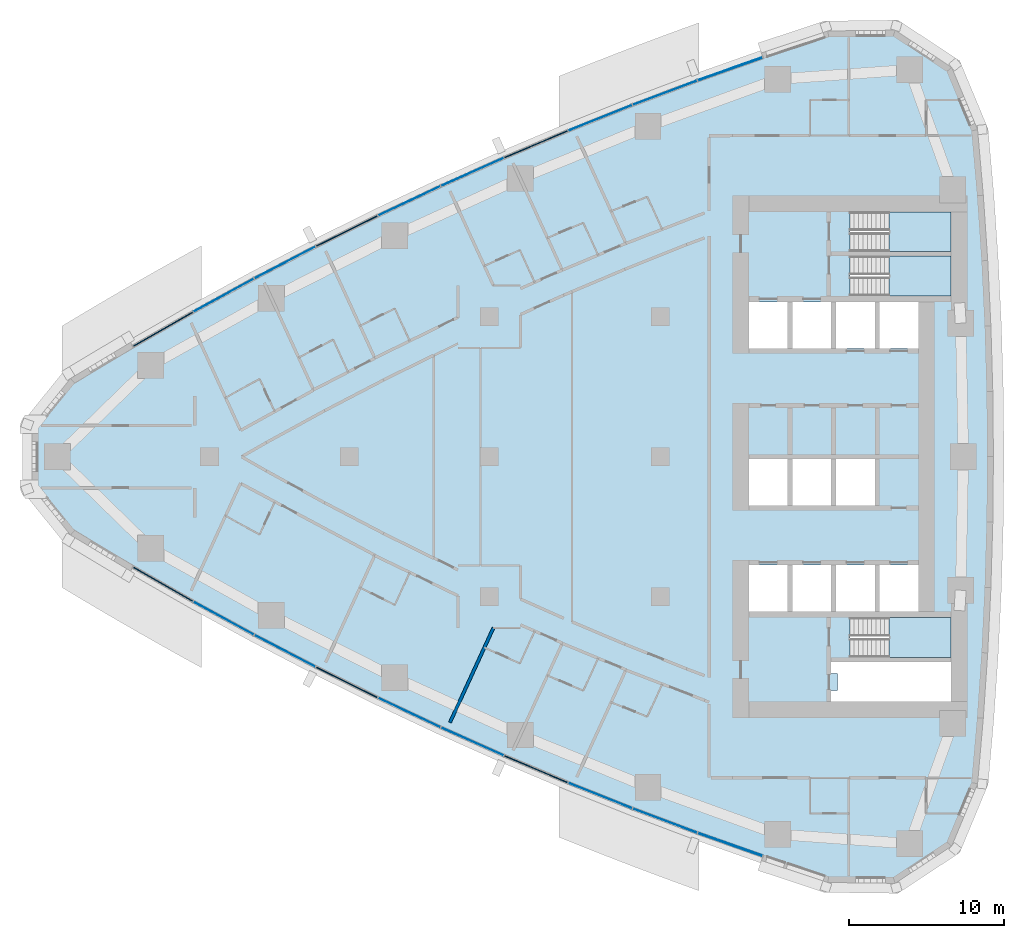
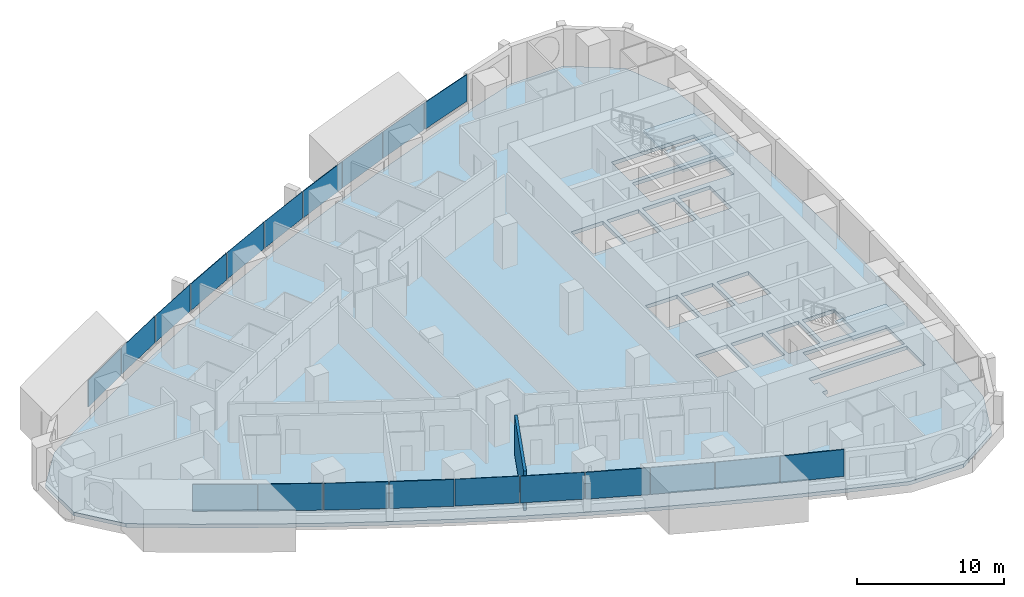
# One storey, part 7 of 17: 20 plates, 4 slabs, 1 wall, 1 opening, 13 elements without a shape of their own.
"""IFC4 building model written with IfcOpenShell, lengths in metres."""

from ifc_helpers import new_model, si_unit, direction, frame, frame_2d, origin, origin_2d, place, context, subcontext, project, spatial, polyline, rectangle, outline, extrude, material, layer, layer_set, type_object, element, aggregate, save


model = new_model("IFC4")

# Units and contexts
model_context = context("Model", 3, precision=1e-05, world=origin(), true_north=direction((0.0, 1.0)))
body_context = subcontext(model_context, "Body", "Model", "MODEL_VIEW")
ifc_project = project(units=[si_unit("LENGTHUNIT", "METRE"), si_unit("AREAUNIT", "SQUARE_METRE"), si_unit("VOLUMEUNIT", "CUBIC_METRE"), si_unit("PLANEANGLEUNIT", "RADIAN"), si_unit("MASSUNIT", "GRAM", prefix="KILO")], contexts=[model_context])

# Site, building, storey
site_placement = place(None, origin())
site = spatial("IfcSite", under=ifc_project, at=site_placement, CompositionType="ELEMENT")
building_placement = place(site_placement, origin())
building = spatial("IfcBuilding", under=site, at=building_placement, Name="Ostrand Prow Hotel Tower", CompositionType="ELEMENT")
storey_placement = place(building_placement, frame((0.0, 0.0, 84.89990234375)))
storey = spatial("IfcBuildingStorey", under=building, at=storey_placement, Name="L19", CompositionType="ELEMENT", Elevation=84.89990234375)

# Curtain wall, plate
ifc_material_1 = material(Name="Insulated glass in bronze anodised frame", Category="glass")
ifc_layer_1 = layer(ifc_material_1, 0.199951171875)
ifc_layer_set_1 = layer_set([ifc_layer_1], Name="Insulated glass in bronze anodised frame")
curtain_wall_type = type_object("IfcCurtainWallType", Name="Strip curtain wall, fritted glass over bronze spandrel", PredefinedType="NOTDEFINED", material=ifc_layer_set_1)
curtain_wall_1_placement = place(storey_placement, origin())
curtain_wall_1 = element("IfcCurtainWall", 1, at=curtain_wall_1_placement, inside=storey, type_object=curtain_wall_type, Name="CW1 run CWS1", PredefinedType="NOTDEFINED")
ifc_material_2 = material(Name="Ceramic-fritted glass", Category="glass")
ifc_layer_2 = layer(ifc_material_2, 0.031982421875)
ifc_layer_set_2 = layer_set([ifc_layer_2], Name="Ceramic-fritted glass")
plate_type_1 = type_object("IfcPlateType", Name="Dot-fritted ceramic glass unit 32 mm", PredefinedType="CURTAIN_PANEL", material=ifc_layer_set_2)
plate_1_placement = place(storey_placement, frame((16.910888671875, -10.39111328125, 1.02001953125), z_axis=(0.0, 0.0, 1.0), x_axis=(0.877466978439, -0.479637052103, 0.0)))
plate_1 = element("IfcPlate", 2, at=plate_1_placement, type_object=plate_type_1, Name="CW1 PN-D panel 2.2", PredefinedType="CURTAIN_PANEL", context=body_context, shape_type="SweptSolid", body=[
    extrude(rectangle(XDim=4.406005859375, YDim=0.031982421875, at=origin_2d()), origin(), (0.0, 0.0, 1.0), 2.22998046875),
])

curtain_wall_2_placement = place(storey_placement, origin())
curtain_wall_2 = element("IfcCurtainWall", 3, at=curtain_wall_2_placement, inside=storey, type_object=curtain_wall_type, Name="CW1 run CWS2", PredefinedType="NOTDEFINED")
plate_2_placement = place(storey_placement, frame((20.8505859375, -12.49365234375, 1.02001953125), z_axis=(0.0, 0.0, 1.0), x_axis=(0.886896367661, -0.461968432937, 0.0)))
plate_2 = element("IfcPlate", 4, at=plate_2_placement, type_object=plate_type_1, Name="CW1 PN-D panel 1.2", PredefinedType="CURTAIN_PANEL", context=body_context, shape_type="SweptSolid", body=[
    extrude(rectangle(XDim=4.406005859375, YDim=0.031982421875, at=origin_2d()), origin(), (0.0, 0.0, 1.0), 2.22998046875),
])

# Curtain wall, plates
curtain_wall_3_placement = place(storey_placement, origin())
curtain_wall_3 = element("IfcCurtainWall", 5, at=curtain_wall_3_placement, inside=storey, type_object=curtain_wall_type, Name="CW1 run CWS3", PredefinedType="NOTDEFINED")
plate_3_placement = place(storey_placement, frame((28.852783203125, -16.4599609375, 1.02001953125), z_axis=(0.0, 0.0, 1.0), x_axis=(0.904685808958, -0.426079320162, 0.0)))
plate_3 = element("IfcPlate", 6, at=plate_3_placement, type_object=plate_type_1, Name="CW1 PN-D panel 1.2", PredefinedType="CURTAIN_PANEL", context=body_context, shape_type="SweptSolid", body=[
    extrude(rectangle(XDim=4.406005859375, YDim=0.031982421875, at=origin_2d()), origin(), (0.0, 0.0, 1.0), 2.22998046875),
])
plate_4_placement = place(storey_placement, frame((32.911865234375, -18.322265625, 1.02001953125), z_axis=(0.0, 0.0, 1.0), x_axis=(0.913037887435, -0.407874755419, 0.0)))
plate_4 = element("IfcPlate", 7, at=plate_4_placement, type_object=plate_type_1, Name="CW1 PN-D panel 2.2", PredefinedType="CURTAIN_PANEL", context=body_context, shape_type="SweptSolid", body=[
    extrude(rectangle(XDim=4.406005859375, YDim=0.031982421875, at=origin_2d()), origin(), (0.0, 0.0, 1.0), 2.22998046875),
])
aggregate(curtain_wall_3, [plate_3, plate_4])

# Curtain wall, plate
curtain_wall_4_placement = place(storey_placement, origin())
curtain_wall_4 = element("IfcCurtainWall", 8, at=curtain_wall_4_placement, inside=storey, type_object=curtain_wall_type, Name="CW1 run CWS4", PredefinedType="NOTDEFINED")
plate_5_placement = place(storey_placement, frame((41.137451171875, -21.801025390625, 1.02001953125), z_axis=(0.0, 0.0, 1.0), x_axis=(0.928640008649, -0.370982121315, 0.0)))
plate_5 = element("IfcPlate", 9, at=plate_5_placement, type_object=plate_type_1, Name="CW1 PN-D panel 2.2", PredefinedType="CURTAIN_PANEL", context=body_context, shape_type="SweptSolid", body=[
    extrude(rectangle(XDim=4.406005859375, YDim=0.031982421875, at=origin_2d()), origin(), (0.0, 0.0, 1.0), 2.22998046875),
])

curtain_wall_5_placement = place(storey_placement, origin())
curtain_wall_5 = element("IfcCurtainWall", 10, at=curtain_wall_5_placement, inside=storey, type_object=curtain_wall_type, Name="CW1 run CWS5", PredefinedType="NOTDEFINED")
plate_6_placement = place(storey_placement, frame((45.301025390625, -23.416015625, 1.02001953125), z_axis=(0.0, 0.0, 1.0), x_axis=(0.935883792387, -0.35230885193, 0.0)))
plate_6 = element("IfcPlate", 11, at=plate_6_placement, type_object=plate_type_1, Name="CW1 PN-D panel 1.2", PredefinedType="CURTAIN_PANEL", context=body_context, shape_type="SweptSolid", body=[
    extrude(rectangle(XDim=4.406005859375, YDim=0.031982421875, at=origin_2d()), origin(), (0.0, 0.0, 1.0), 2.22998046875),
])

curtain_wall_6_placement = place(storey_placement, origin())
curtain_wall_6 = element("IfcCurtainWall", 12, at=curtain_wall_6_placement, inside=storey, type_object=curtain_wall_type, Name="CW1 run CWN1", PredefinedType="NOTDEFINED")
plate_7_placement = place(storey_placement, frame((45.301025390625, 23.416015625, 1.02001953125), z_axis=(0.0, 0.0, 1.0), x_axis=(-0.935883792387, -0.35230885193, 0.0)))
plate_7 = element("IfcPlate", 13, at=plate_7_placement, type_object=plate_type_1, Name="CW1 PN-D panel 2.2", PredefinedType="CURTAIN_PANEL", context=body_context, shape_type="SweptSolid", body=[
    extrude(rectangle(XDim=4.406005859375, YDim=0.031982421875, at=origin_2d()), origin(), (0.0, 0.0, 1.0), 2.22998046875),
])

curtain_wall_7_placement = place(storey_placement, origin())
curtain_wall_7 = element("IfcCurtainWall", 14, at=curtain_wall_7_placement, inside=storey, type_object=curtain_wall_type, Name="CW1 run CWN2", PredefinedType="NOTDEFINED")
plate_8_placement = place(storey_placement, frame((41.137451171875, 21.801025390625, 1.02001953125), z_axis=(0.0, 0.0, 1.0), x_axis=(-0.928640008649, -0.370982121315, 0.0)))
plate_8 = element("IfcPlate", 15, at=plate_8_placement, type_object=plate_type_1, Name="CW1 PN-D panel 1.2", PredefinedType="CURTAIN_PANEL", context=body_context, shape_type="SweptSolid", body=[
    extrude(rectangle(XDim=4.406005859375, YDim=0.031982421875, at=origin_2d()), origin(), (0.0, 0.0, 1.0), 2.22998046875),
])

# Curtain wall, plates
curtain_wall_8_placement = place(storey_placement, origin())
curtain_wall_8 = element("IfcCurtainWall", 16, at=curtain_wall_8_placement, inside=storey, type_object=curtain_wall_type, Name="CW1 run CWN3", PredefinedType="NOTDEFINED")
plate_9_placement = place(storey_placement, frame((32.911865234375, 18.322265625, 1.02001953125), z_axis=(0.0, 0.0, 1.0), x_axis=(-0.913037887435, -0.407874755419, 0.0)))
plate_9 = element("IfcPlate", 17, at=plate_9_placement, type_object=plate_type_1, Name="CW1 PN-D panel 1.2", PredefinedType="CURTAIN_PANEL", context=body_context, shape_type="SweptSolid", body=[
    extrude(rectangle(XDim=4.406005859375, YDim=0.031982421875, at=origin_2d()), origin(), (0.0, 0.0, 1.0), 2.22998046875),
])
plate_10_placement = place(storey_placement, frame((28.852783203125, 16.4599609375, 1.02001953125), z_axis=(0.0, 0.0, 1.0), x_axis=(-0.904685808958, -0.426079320162, 0.0)))
plate_10 = element("IfcPlate", 18, at=plate_10_placement, type_object=plate_type_1, Name="CW1 PN-D panel 2.2", PredefinedType="CURTAIN_PANEL", context=body_context, shape_type="SweptSolid", body=[
    extrude(rectangle(XDim=4.406005859375, YDim=0.031982421875, at=origin_2d()), origin(), (0.0, 0.0, 1.0), 2.22998046875),
])
aggregate(curtain_wall_8, [plate_9, plate_10])

# Curtain wall, plate
curtain_wall_9_placement = place(storey_placement, origin())
curtain_wall_9 = element("IfcCurtainWall", 19, at=curtain_wall_9_placement, inside=storey, type_object=curtain_wall_type, Name="CW1 run CWN4", PredefinedType="NOTDEFINED")
plate_11_placement = place(storey_placement, frame((20.8505859375, 12.49365234375, 1.02001953125), z_axis=(0.0, 0.0, 1.0), x_axis=(-0.886896367661, -0.461968432937, 0.0)))
plate_11 = element("IfcPlate", 20, at=plate_11_placement, type_object=plate_type_1, Name="CW1 PN-D panel 2.2", PredefinedType="CURTAIN_PANEL", context=body_context, shape_type="SweptSolid", body=[
    extrude(rectangle(XDim=4.406005859375, YDim=0.031982421875, at=origin_2d()), origin(), (0.0, 0.0, 1.0), 2.22998046875),
])

curtain_wall_10_placement = place(storey_placement, origin())
curtain_wall_10 = element("IfcCurtainWall", 21, at=curtain_wall_10_placement, inside=storey, type_object=curtain_wall_type, Name="CW1 run CWN5", PredefinedType="NOTDEFINED")
plate_12_placement = place(storey_placement, frame((16.910888671875, 10.39111328125, 1.02001953125), z_axis=(0.0, 0.0, 1.0), x_axis=(-0.877466978439, -0.479637052103, 0.0)))
plate_12 = element("IfcPlate", 22, at=plate_12_placement, type_object=plate_type_1, Name="CW1 PN-D panel 1.2", PredefinedType="CURTAIN_PANEL", context=body_context, shape_type="SweptSolid", body=[
    extrude(rectangle(XDim=4.406005859375, YDim=0.031982421875, at=origin_2d()), origin(), (0.0, 0.0, 1.0), 2.22998046875),
])

# Plate
ifc_material_3 = material(Name="Fritted glass in bronze vent frame", Category="glass")
ifc_layer_3 = layer(ifc_material_3, 0.06005859375)
ifc_layer_set_3 = layer_set([ifc_layer_3], Name="Fritted glass in bronze vent frame")
plate_type_2 = type_object("IfcPlateType", Name="Operable vent panel 60 mm", PredefinedType="CURTAIN_PANEL", material=ifc_layer_set_3)
plate_13_placement = place(storey_placement, frame((13.013916015625, -8.2099609375, 1.02001953125), z_axis=(0.0, 0.0, 1.0), x_axis=(0.867684775301, -0.497114806368, 0.0)))
plate_13 = element("IfcPlate", 23, at=plate_13_placement, type_object=plate_type_2, Name="CW1 PN-O panel 1.2", PredefinedType="CURTAIN_PANEL", context=body_context, shape_type="SweptSolid", body=[
    extrude(rectangle(XDim=4.406005859375, YDim=0.06005859375, at=origin_2d()), origin(), (0.0, 0.0, 1.0), 2.22998046875),
])

aggregate(curtain_wall_1, [plate_13, plate_1])

plate_14_placement = place(storey_placement, frame((24.831787109375, -14.516845703125, 1.02001953125), z_axis=(0.0, 0.0, 1.0), x_axis=(0.895970803653, -0.44411295748, 0.0)))
plate_14 = element("IfcPlate", 24, at=plate_14_placement, type_object=plate_type_2, Name="CW1 PN-O panel 2.2", PredefinedType="CURTAIN_PANEL", context=body_context, shape_type="SweptSolid", body=[
    extrude(rectangle(XDim=4.406005859375, YDim=0.06005859375, at=origin_2d()), origin(), (0.0, 0.0, 1.0), 2.22998046875),
])

aggregate(curtain_wall_2, [plate_2, plate_14])

plate_15_placement = place(storey_placement, frame((37.007080078125, -20.102783203125, 1.02001953125), z_axis=(0.0, 0.0, 1.0), x_axis=(0.921023688536, -0.389506566255, 0.0)))
plate_15 = element("IfcPlate", 25, at=plate_15_placement, type_object=plate_type_2, Name="CW1 PN-O panel 1.2", PredefinedType="CURTAIN_PANEL", context=body_context, shape_type="SweptSolid", body=[
    extrude(rectangle(XDim=4.406005859375, YDim=0.06005859375, at=origin_2d()), origin(), (0.0, 0.0, 1.0), 2.22998046875),
])

aggregate(curtain_wall_4, [plate_15, plate_5])

plate_16_placement = place(storey_placement, frame((49.49609375, -24.947509765625, 1.02001953125), z_axis=(0.0, 0.0, 1.0), x_axis=(0.942751551748, -0.333495894542, 0.0)))
plate_16 = element("IfcPlate", 26, at=plate_16_placement, type_object=plate_type_2, Name="CW1 PN-O panel 2.2", PredefinedType="CURTAIN_PANEL", context=body_context, shape_type="SweptSolid", body=[
    extrude(rectangle(XDim=4.406005859375, YDim=0.06005859375, at=origin_2d()), origin(), (0.0, 0.0, 1.0), 2.22998046875),
])

aggregate(curtain_wall_5, [plate_6, plate_16])

plate_17_placement = place(storey_placement, frame((49.49609375, 24.947509765625, 1.02001953125), z_axis=(0.0, 0.0, 1.0), x_axis=(-0.942751551748, -0.333495894542, 0.0)))
plate_17 = element("IfcPlate", 27, at=plate_17_placement, type_object=plate_type_2, Name="CW1 PN-O panel 1.2", PredefinedType="CURTAIN_PANEL", context=body_context, shape_type="SweptSolid", body=[
    extrude(rectangle(XDim=4.406005859375, YDim=0.06005859375, at=origin_2d()), origin(), (0.0, 0.0, 1.0), 2.22998046875),
])

aggregate(curtain_wall_6, [plate_17, plate_7])

plate_18_placement = place(storey_placement, frame((37.007080078125, 20.102783203125, 1.02001953125), z_axis=(0.0, 0.0, 1.0), x_axis=(-0.921023688536, -0.389506566255, 0.0)))
plate_18 = element("IfcPlate", 28, at=plate_18_placement, type_object=plate_type_2, Name="CW1 PN-O panel 2.2", PredefinedType="CURTAIN_PANEL", context=body_context, shape_type="SweptSolid", body=[
    extrude(rectangle(XDim=4.406005859375, YDim=0.06005859375, at=origin_2d()), origin(), (0.0, 0.0, 1.0), 2.22998046875),
])

aggregate(curtain_wall_7, [plate_8, plate_18])

plate_19_placement = place(storey_placement, frame((24.831787109375, 14.516845703125, 1.02001953125), z_axis=(0.0, 0.0, 1.0), x_axis=(-0.895970803653, -0.44411295748, 0.0)))
plate_19 = element("IfcPlate", 29, at=plate_19_placement, type_object=plate_type_2, Name="CW1 PN-O panel 1.2", PredefinedType="CURTAIN_PANEL", context=body_context, shape_type="SweptSolid", body=[
    extrude(rectangle(XDim=4.406005859375, YDim=0.06005859375, at=origin_2d()), origin(), (0.0, 0.0, 1.0), 2.22998046875),
])

aggregate(curtain_wall_9, [plate_19, plate_11])

plate_20_placement = place(storey_placement, frame((13.013916015625, 8.2099609375, 1.02001953125), z_axis=(0.0, 0.0, 1.0), x_axis=(-0.867684775301, -0.497114806368, 0.0)))
plate_20 = element("IfcPlate", 30, at=plate_20_placement, type_object=plate_type_2, Name="CW1 PN-O panel 2.2", PredefinedType="CURTAIN_PANEL", context=body_context, shape_type="SweptSolid", body=[
    extrude(rectangle(XDim=4.406005859375, YDim=0.06005859375, at=origin_2d()), origin(), (0.0, 0.0, 1.0), 2.22998046875),
])

aggregate(curtain_wall_10, [plate_12, plate_20])

# Slab, opening
ifc_material_4 = material(Name="Concrete C40/50", Category="concrete")
ifc_layer_4 = layer(ifc_material_4, 0.300048828125)
ifc_layer_set_4 = layer_set([ifc_layer_4], Name="Concrete C40/50")
slab_type_1 = type_object("IfcSlabType", Name="PT flat plate 300 C40/50", PredefinedType="FLOOR", material=ifc_layer_set_4)
slab_1_placement = place(storey_placement, frame((0.0, 0.0, -0.2998046875)))
slab_1 = element("IfcSlab", 31, at=slab_1_placement, inside=storey, type_object=slab_type_1, Name="Floor slab L19-1", PredefinedType="FLOOR", context=body_context, shape_type="SweptSolid", body=[
    extrude(outline(polyline([(7.150390625, 4.879638671875), (11.01806640625, 7.19970703125), (14.89501953125, 9.4208984375), (18.81591796875, 11.56396484375), (22.77880859375, 13.628173828125), (26.7822265625, 15.61279296875), (30.82470703125, 17.5166015625), (34.904541015625, 19.339111328125), (39.02001953125, 21.07958984375), (43.16943359375, 22.7373046875), (47.351318359375, 24.311279296875), (51.563720703125, 25.801513671875), (55.839599609375, 27.218505859375), (60.05615234375, 27.271728515625), (63.6103515625, 24.932861328125), (65.2294921875, 21.039306640625), (65.598876953125, 16.81201171875), (65.883544921875, 12.614501953125), (66.087158203125, 8.412353515625), (66.209228515625, 4.206787109375), (66.25, 0.0), (66.209228515625, -4.206787109375), (66.087158203125, -8.412353515625), (65.883544921875, -12.614501953125), (65.598876953125, -16.81201171875), (65.2294921875, -21.039306640625), (63.6103515625, -24.932861328125), (60.05615234375, -27.271728515625), (55.839599609375, -27.218505859375), (51.563720703125, -25.801513671875), (47.351318359375, -24.311279296875), (43.16943359375, -22.7373046875), (39.02001953125, -21.07958984375), (34.904541015625, -19.339111328125), (30.82470703125, -17.5166015625), (26.7822265625, -15.61279296875), (22.77880859375, -13.628173828125), (18.81591796875, -11.56396484375), (14.89501953125, -9.4208984375), (11.01806640625, -7.19970703125), (7.150390625, -4.879638671875), (4.75830078125, -1.923583984375), (4.75830078125, 1.923583984375), (7.150390625, 4.879638671875)]), holes=[polyline([(50.699951171875, 6.949951171875), (53.199951171875, 6.949951171875), (53.199951171875, 9.949951171875), (50.699951171875, 9.949951171875), (50.699951171875, 6.949951171875)]), polyline([(53.5, 6.949951171875), (56.0, 6.949951171875), (56.0, 9.949951171875), (53.5, 9.949951171875), (53.5, 6.949951171875)]), polyline([(56.300048828125, 6.949951171875), (58.800048828125, 6.949951171875), (58.800048828125, 9.949951171875), (56.300048828125, 9.949951171875), (56.300048828125, 6.949951171875)]), polyline([(59.10009765625, 6.949951171875), (61.60009765625, 6.949951171875), (61.60009765625, 9.949951171875), (59.10009765625, 9.949951171875), (59.10009765625, 6.949951171875)]), polyline([(50.699951171875, -3.14990234375), (53.199951171875, -3.14990234375), (53.199951171875, -0.14990234375), (50.699951171875, -0.14990234375), (50.699951171875, -3.14990234375)]), polyline([(53.5, -3.14990234375), (56.0, -3.14990234375), (56.0, -0.14990234375), (53.5, -0.14990234375), (53.5, -3.14990234375)]), polyline([(56.300048828125, -3.14990234375), (58.800048828125, -3.14990234375), (58.800048828125, -0.14990234375), (56.300048828125, -0.14990234375), (56.300048828125, -3.14990234375)]), polyline([(50.699951171875, -9.949951171875), (53.199951171875, -9.949951171875), (53.199951171875, -6.949951171875), (50.699951171875, -6.949951171875), (50.699951171875, -9.949951171875)]), polyline([(53.5, -9.949951171875), (56.0, -9.949951171875), (56.0, -6.949951171875), (53.5, -6.949951171875), (53.5, -9.949951171875)]), polyline([(56.300048828125, -9.949951171875), (58.800048828125, -9.949951171875), (58.800048828125, -6.949951171875), (56.300048828125, -6.949951171875), (56.300048828125, -9.949951171875)]), polyline([(59.10009765625, -9.949951171875), (61.60009765625, -9.949951171875), (61.60009765625, -6.949951171875), (59.10009765625, -6.949951171875), (59.10009765625, -9.949951171875)]), polyline([(57.200927734375, 10.35107421875), (57.200927734375, 12.89892578125), (63.718994140625, 12.89892578125), (63.718994140625, 10.35107421875), (57.200927734375, 10.35107421875)]), polyline([(57.200927734375, 13.200927734375), (57.200927734375, 15.7490234375), (63.718994140625, 15.7490234375), (63.718994140625, 13.200927734375), (57.200927734375, 13.200927734375)]), polyline([(57.200927734375, -12.89892578125), (57.200927734375, -10.35107421875), (63.718994140625, -10.35107421875), (63.718994140625, -12.89892578125), (57.200927734375, -12.89892578125)]), polyline([(56.0, -13.199951171875), (63.719970703125, -13.199951171875), (63.719970703125, -15.75), (56.0, -15.75), (56.0, -15.050048828125), (56.39990234375, -15.050048828125), (56.39990234375, -13.949951171875), (56.0, -13.949951171875), (56.0, -13.199951171875)])]), origin(), (0.0, 0.0, 1.0), 0.2998046875),
])
opening_placement = place(slab_1_placement, origin())
element("IfcOpeningElement", 32, at=opening_placement, cuts=slab_1, Name="Shaft opening 1", PredefinedType="OPENING", context=body_context, shape_type="SweptSolid", body=[
    extrude(outline(polyline([(56.0, -13.199951171875), (63.719970703125, -13.199951171875), (63.719970703125, -15.75), (56.0, -15.75), (56.0, -15.050048828125), (56.39990234375, -15.050048828125), (56.39990234375, -13.949951171875), (56.0, -13.949951171875), (56.0, -13.199951171875)])), origin(), (0.0, 0.0, 1.0), 0.2998046875),
])

# Stair, slab
ifc_material_5 = material(Name="Concrete C40/50", Category="concrete")
stair_type = type_object("IfcStairType", Name="Exit stair 1200 upper zone", PredefinedType="HALF_TURN_STAIR", material=ifc_material_5)
stair_1_placement = place(storey_placement, origin())
stair_1 = element("IfcStair", 33, at=stair_1_placement, inside=storey, type_object=stair_type, Name="L19 ST1C", PredefinedType="HALF_TURN_STAIR")
ifc_material_6 = material(Name="Concrete C40/50", Category="concrete")
ifc_layer_5 = layer(ifc_material_6, 0.199951171875)
ifc_layer_set_5 = layer_set([ifc_layer_5], Name="Concrete C40/50")
slab_type_2 = type_object("IfcSlabType", Name="Stair landing 200 concrete", PredefinedType="LANDING", material=ifc_layer_set_5)
slab_2_placement = place(storey_placement, frame((0.0, 0.0, 1.5751953125)))
slab_2 = element("IfcSlab", 34, at=slab_2_placement, type_object=slab_type_2, Name="ST1C landing 1", PredefinedType="LANDING", context=body_context, shape_type="SweptSolid", body=[
    extrude(outline(polyline([(59.719970703125, 10.35009765625), (63.719970703125, 10.35009765625), (63.719970703125, 12.89990234375), (59.719970703125, 12.89990234375), (59.719970703125, 10.35009765625)])), origin(), (0.0, 0.0, 1.0), 0.199951171875),
])
aggregate(stair_1, [slab_2])

stair_2_placement = place(storey_placement, origin())
stair_2 = element("IfcStair", 35, at=stair_2_placement, inside=storey, type_object=stair_type, Name="L19 ST3C", PredefinedType="HALF_TURN_STAIR")
slab_3_placement = place(storey_placement, frame((0.0, 0.0, 1.5751953125)))
slab_3 = element("IfcSlab", 36, at=slab_3_placement, type_object=slab_type_2, Name="ST3C landing 1", PredefinedType="LANDING", context=body_context, shape_type="SweptSolid", body=[
    extrude(outline(polyline([(59.719970703125, 13.199951171875), (63.719970703125, 13.199951171875), (63.719970703125, 15.75), (59.719970703125, 15.75), (59.719970703125, 13.199951171875)])), origin(), (0.0, 0.0, 1.0), 0.199951171875),
])
aggregate(stair_2, [slab_3])

stair_3_placement = place(storey_placement, origin())
stair_3 = element("IfcStair", 37, at=stair_3_placement, inside=storey, type_object=stair_type, Name="L19 ST2C", PredefinedType="HALF_TURN_STAIR")
slab_4_placement = place(storey_placement, frame((0.0, 0.0, 1.5751953125)))
slab_4 = element("IfcSlab", 38, at=slab_4_placement, type_object=slab_type_2, Name="ST2C landing 1", PredefinedType="LANDING", context=body_context, shape_type="SweptSolid", body=[
    extrude(outline(polyline([(59.719970703125, -12.89990234375), (63.719970703125, -12.89990234375), (63.719970703125, -10.35009765625), (59.719970703125, -10.35009765625), (59.719970703125, -12.89990234375)])), origin(), (0.0, 0.0, 1.0), 0.199951171875),
])
aggregate(stair_3, [slab_4])

# Wall
ifc_material_7 = material(Name="Plasterboard partition")
ifc_layer_6 = layer(ifc_material_7, 0.199951171875)
ifc_layer_set_6 = layer_set([ifc_layer_6], Name="Plasterboard partition")
wall_type = type_object("IfcWallType", Name="Partition 200 key partition", PredefinedType="PARTITIONING", material=ifc_layer_set_6)
wall_placement = place(storey_placement, frame((31.471435546875, -17.093505859375, 0.0), z_axis=(0.0, 0.0, 1.0), x_axis=(0.417420546123, 0.908713424394, 0.0)))
element("IfcWall", 39, at=wall_placement, inside=storey, type_object=wall_type, Name="KEY PARTITION", PredefinedType="PARTITIONING", context=body_context, shape_type="SweptSolid", body=[
    extrude(rectangle(XDim=6.70556640625, YDim=0.199951171875, at=frame_2d((3.352783203125, 0.0))), origin(), (0.0, 0.0, 1.0), 3.25),
])

save(model, "model.ifc")
